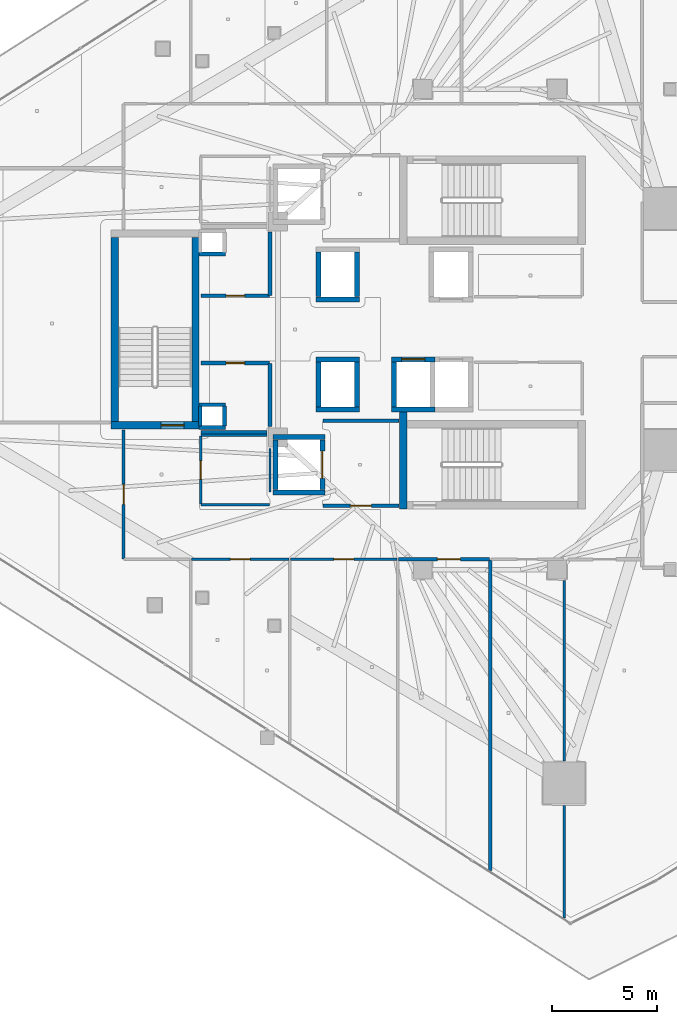
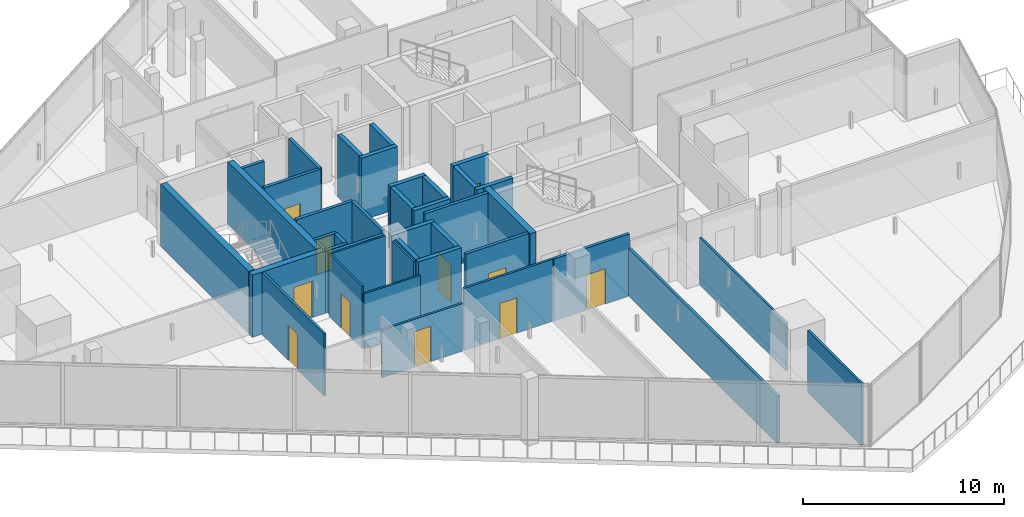
# One storey, part 25 of 37: 41 walls, 11 doors, 11 openings.
"""IFC4 building model written with IfcOpenShell, lengths in metres."""

from ifc_helpers import new_model, si_unit, direction, frame, frame_2d, origin, place, context, subcontext, project, spatial, rectangle, extrude, material, layer, layer_set, type_object, element, fill, save


model = new_model("IFC4")

# Units and contexts
model_context = context("Model", 3, precision=1e-05, world=origin(), true_north=direction((0.0, 1.0)))
body_context = subcontext(model_context, "Body", "Model", "MODEL_VIEW")
ifc_project = project(units=[si_unit("LENGTHUNIT", "METRE"), si_unit("AREAUNIT", "SQUARE_METRE"), si_unit("VOLUMEUNIT", "CUBIC_METRE"), si_unit("PLANEANGLEUNIT", "RADIAN"), si_unit("MASSUNIT", "GRAM", prefix="KILO")], contexts=[model_context])

# Site, building, storey
site_placement = place(None, origin())
site = spatial("IfcSite", under=ifc_project, at=site_placement, CompositionType="ELEMENT")
building_placement = place(site_placement, origin())
building = spatial("IfcBuilding", under=site, at=building_placement, Name="Qorvath Tower", CompositionType="ELEMENT")
storey_placement = place(building_placement, frame((0.0, 0.0, 188.85009765625)))
storey = spatial("IfcBuildingStorey", under=building, at=storey_placement, Name="L43", CompositionType="ELEMENT", Elevation=188.85009765625)

# Walls
ifc_material_1 = material(Name="Gypsum shaftliner on steel studs", Category="steel")
ifc_layer_1 = layer(ifc_material_1, 0.179931640625)
ifc_layer_set_1 = layer_set([ifc_layer_1], Name="FW-LOBBY")
wall_type_1 = type_object("IfcWallType", Name="FW-LOBBY", PredefinedType="PARTITIONING", material=ifc_layer_set_1)
for number, where, z_axis, x_axis, name in (
    (1, (-32.989990234375, 3.594970703125, 0.0), (0.0, 0.0, 1.0), (-1.0, 0.0, 0.0), "MEP Riser Shaft Enclosure Wall N-L43-S"),
    (2, (-32.989990234375, -4.675048828125, 0.0), (0.0, 0.0, 1.0), (-1.0, 0.0, 0.0), "MEP Riser Shaft Enclosure Wall S-L43-S"),
    (3, (-34.260009765625, -3.594970703125, 0.0), (0.0, 0.0, 1.0), (1.0, 0.0, 0.0), "MEP Riser Shaft Enclosure Wall S-L43-N"),
):
    element("IfcWall", number, at=place(storey_placement, frame(where, z_axis=z_axis, x_axis=x_axis)), inside=storey, type_object=wall_type_1, Name=name, PredefinedType="PARTITIONING", context=body_context, shape_type="SweptSolid", body=[
        extrude(rectangle(XDim=1.27001953125, YDim=0.179931640625, at=frame_2d((0.635009765625, 0.0))), origin(), (0.0, 0.0, 1.0), 3.77978515625),
    ])
for number, where, z_axis, x_axis, name in (
    (4, (-34.205078125, -4.610107421875, 0.0), (0.0, 0.0, 1.0), (0.0, 1.0, 0.0), "MEP Riser Shaft Enclosure Wall S-L43-W"),
    (5, (-33.044921875, -3.659912109375, 0.0), (0.0, 0.0, 1.0), (0.0, -1.0, 0.0), "MEP Riser Shaft Enclosure Wall S-L43-E"),
):
    element("IfcWall", number, at=place(storey_placement, frame(where, z_axis=z_axis, x_axis=x_axis)), inside=storey, type_object=wall_type_1, Name=name, PredefinedType="PARTITIONING", context=body_context, shape_type="SweptSolid", body=[
        extrude(rectangle(XDim=0.9501953125, YDim=0.179931640625, at=frame_2d((0.47509765625, 0.0))), origin(), (0.0, 0.0, 1.0), 3.77978515625),
    ])

# Wall, opening, door
wall_1_placement = place(storey_placement, frame((-28.35498046875, -8.39990234375, 0.0), z_axis=(0.0, 0.0, 1.0), x_axis=(1.0, 0.0, 0.0)))
wall_1 = element("IfcWall", 6, at=wall_1_placement, inside=storey, type_object=wall_type_1, Name="Interior Partition IW-T1-L43-003", PredefinedType="PARTITIONING", context=body_context, shape_type="SweptSolid", body=[
    extrude(rectangle(XDim=3.6220703125, YDim=0.179931640625, at=frame_2d((1.81103515625, 0.0))), origin(), (0.0, 0.0, 1.0), 3.77978515625),
])
opening_1_placement = place(wall_1_placement, frame((1.31103515625, 0.0, 0.0)))
opening_1 = element("IfcOpeningElement", 7, at=opening_1_placement, cuts=wall_1, Name="Opening D-T1-L43-22", PredefinedType="OPENING", context=body_context, shape_type="SweptSolid", body=[
    extrude(rectangle(XDim=1.0, YDim=2.14990234375, at=frame_2d((0.5, 1.074951171875))), frame((0.0, 0.10009765625, 0.0), z_axis=(0.0, -1.0, 0.0), x_axis=(1.0, 0.0, 0.0)), (0.0, 0.0, 1.0), 0.199951171875),
])
ifc_material_2 = material(Name="Painted galvanised hollow metal", Category="steel")
door_type_1 = type_object("IfcDoorType", Name="FD-60", OperationType="NOTDEFINED", PredefinedType="DOOR", material=ifc_material_2)
door_1_placement = place(opening_1_placement, origin())
door_1 = element("IfcDoor", 8, at=door_1_placement, inside=storey, type_object=door_type_1, Name="Lobby Fire Service Elevator South Door D-T1-L43-22", OperationType="SINGLE_SWING_RIGHT", OverallHeight=2.14990234375, OverallWidth=1.0, PredefinedType="DOOR", context=body_context, shape_type="SweptSolid", body=[
    extrude(rectangle(XDim=1.0, YDim=2.14990234375, at=frame_2d((0.5, 1.074951171875))), frame((0.0, 0.02490234375, 0.0), z_axis=(0.0, -1.0, 0.0), x_axis=(1.0, 0.0, 0.0)), (0.0, 0.0, 1.0), 0.050048828125),
])
fill(opening_1, door_1)

# Wall
wall_2_placement = place(storey_placement, frame((-24.73291015625, -4.35009765625, 0.0), z_axis=(0.0, 0.0, 1.0), x_axis=(-1.0, 0.0, 0.0)))
element("IfcWall", 9, at=wall_2_placement, inside=storey, type_object=wall_type_1, Name="Interior Partition IW-T1-L43-004", PredefinedType="PARTITIONING", context=body_context, shape_type="SweptSolid", body=[
    extrude(rectangle(XDim=3.6220703125, YDim=0.179931640625, at=frame_2d((1.81103515625, 0.0))), origin(), (0.0, 0.0, 1.0), 3.77978515625),
])

# Wall, opening, door
wall_3_placement = place(storey_placement, frame((-34.15478515625, 1.60009765625, 0.0), z_axis=(0.0, 0.0, 1.0), x_axis=(1.0, 0.0, 0.0)))
wall_3 = element("IfcWall", 10, at=wall_3_placement, inside=storey, type_object=wall_type_1, Name="Interior Partition IW-T1-L43-017", PredefinedType="PARTITIONING", context=body_context, shape_type="SweptSolid", body=[
    extrude(rectangle(XDim=3.25, YDim=0.179931640625, at=frame_2d((1.625, 0.0))), origin(), (0.0, 0.0, 1.0), 3.77978515625),
])
opening_2_placement = place(wall_3_placement, frame((1.18505859375, 0.0, 0.0)))
opening_2 = element("IfcOpeningElement", 11, at=opening_2_placement, cuts=wall_3, Name="Opening D-T1-L43-05", PredefinedType="OPENING", context=body_context, shape_type="SweptSolid", body=[
    extrude(rectangle(XDim=0.8798828125, YDim=2.10009765625, at=frame_2d((0.43994140625, 1.050048828125))), frame((0.0, 0.10009765625, 0.0), z_axis=(0.0, -1.0, 0.0), x_axis=(1.0, 0.0, 0.0)), (0.0, 0.0, 1.0), 0.199951171875),
])
ifc_material_3 = material(Name="Painted galvanised hollow metal", Category="steel")
door_type_2 = type_object("IfcDoorType", Name="FD-60N", OperationType="NOTDEFINED", PredefinedType="DOOR", material=ifc_material_3)
door_2_placement = place(opening_2_placement, origin())
door_2 = element("IfcDoor", 12, at=door_2_placement, inside=storey, type_object=door_type_2, Name="Core cleaner and custodial room L43 Door D-T1-L43-05", OperationType="SINGLE_SWING_LEFT", OverallHeight=2.10009765625, OverallWidth=0.8798828125, PredefinedType="DOOR", context=body_context, shape_type="SweptSolid", body=[
    extrude(rectangle(XDim=0.8798828125, YDim=2.10009765625, at=frame_2d((0.43994140625, 1.050048828125))), frame((0.0, 0.02490234375, 0.0), z_axis=(0.0, -1.0, 0.0), x_axis=(1.0, 0.0, 0.0)), (0.0, 0.0, 1.0), 0.050048828125),
])
fill(opening_2, door_2)

# Walls
wall_4_placement = place(storey_placement, frame((-30.8798828125, 1.625, 0.0), z_axis=(0.0, 0.0, 1.0), x_axis=(0.0, 1.0, 0.0)))
element("IfcWall", 13, at=wall_4_placement, inside=storey, type_object=wall_type_1, Name="Interior Partition IW-T1-L43-018", PredefinedType="PARTITIONING", context=body_context, shape_type="SweptSolid", body=[
    extrude(rectangle(XDim=3.010009765625, YDim=0.179931640625, at=frame_2d((1.5048828125, 0.0))), origin(), (0.0, 0.0, 1.0), 3.77978515625),
])
wall_5_placement = place(storey_placement, frame((-34.15478515625, -4.89990234375, 0.0), z_axis=(0.0, 0.0, 1.0), x_axis=(1.0, 0.0, 0.0)))
element("IfcWall", 14, at=wall_5_placement, inside=storey, type_object=wall_type_1, Name="Interior Partition IW-T1-L43-020", PredefinedType="PARTITIONING", context=body_context, shape_type="SweptSolid", body=[
    extrude(rectangle(XDim=3.139892578125, YDim=0.179931640625, at=frame_2d((1.56982421875, 0.0))), origin(), (0.0, 0.0, 1.0), 3.77978515625),
])
wall_6_placement = place(storey_placement, frame((-30.8798828125, -4.635009765625, 0.0), z_axis=(0.0, 0.0, 1.0), x_axis=(0.0, 1.0, 0.0)))
element("IfcWall", 15, at=wall_6_placement, inside=storey, type_object=wall_type_1, Name="Interior Partition IW-T1-L43-021", PredefinedType="PARTITIONING", context=body_context, shape_type="SweptSolid", body=[
    extrude(rectangle(XDim=3.010009765625, YDim=0.179931640625, at=frame_2d((1.5048828125, 0.0))), origin(), (0.0, 0.0, 1.0), 3.77978515625),
])

# Wall, opening, door
wall_7_placement = place(storey_placement, frame((-30.90478515625, -1.60009765625, 0.0), z_axis=(0.0, 0.0, 1.0), x_axis=(-1.0, 0.0, 0.0)))
wall_7 = element("IfcWall", 16, at=wall_7_placement, inside=storey, type_object=wall_type_1, Name="Interior Partition IW-T1-L43-022", PredefinedType="PARTITIONING", context=body_context, shape_type="SweptSolid", body=[
    extrude(rectangle(XDim=3.25, YDim=0.179931640625, at=frame_2d((1.625, 0.0))), origin(), (0.0, 0.0, 1.0), 3.77978515625),
])
opening_3_placement = place(wall_7_placement, frame((1.18505859375, 0.0, 0.0)))
opening_3 = element("IfcOpeningElement", 17, at=opening_3_placement, cuts=wall_7, Name="Opening D-T1-L43-06", PredefinedType="OPENING", context=body_context, shape_type="SweptSolid", body=[
    extrude(rectangle(XDim=0.8798828125, YDim=2.10009765625, at=frame_2d((0.43994140625, 1.050048828125))), frame((0.0, 0.10009765625, 0.0), z_axis=(0.0, -1.0, 0.0), x_axis=(1.0, 0.0, 0.0)), (0.0, 0.0, 1.0), 0.199951171875),
])
door_3_placement = place(opening_3_placement, origin())
door_3 = element("IfcDoor", 18, at=door_3_placement, inside=storey, type_object=door_type_2, Name="Core electrical room L43 Door D-T1-L43-06", OperationType="SINGLE_SWING_RIGHT", OverallHeight=2.10009765625, OverallWidth=0.8798828125, PredefinedType="DOOR", context=body_context, shape_type="SweptSolid", body=[
    extrude(rectangle(XDim=0.8798828125, YDim=2.10009765625, at=frame_2d((0.43994140625, 1.050048828125))), frame((0.0, 0.02490234375, 0.0), z_axis=(0.0, -1.0, 0.0), x_axis=(1.0, 0.0, 0.0)), (0.0, 0.0, 1.0), 0.050048828125),
])
fill(opening_3, door_3)

# Wall
ifc_material_4 = material(Name="Double acoustic gypsum board on steel studs", Category="steel")
ifc_layer_2 = layer(ifc_material_4, 0.159912109375)
ifc_layer_set_2 = layer_set([ifc_layer_2], Name="IW-ACOUSTIC-160")
wall_type_2 = type_object("IfcWallType", Name="IW-ACOUSTIC-160", PredefinedType="PARTITIONING", material=ifc_layer_set_2)
wall_8_placement = place(storey_placement, frame((-20.382568359375, -25.794189453125, 0.0), z_axis=(0.0, 0.0, 1.0), x_axis=(0.0, 1.0, 0.0)))
element("IfcWall", 19, at=wall_8_placement, inside=storey, type_object=wall_type_2, Name="Interior Partition IW-T1-L43-037", PredefinedType="PARTITIONING", context=body_context, shape_type="SweptSolid", body=[
    extrude(rectangle(XDim=14.811279296875, YDim=0.159912109375, at=frame_2d((7.40576171875, 0.0))), origin(), (0.0, 0.0, 1.0), 2.894775390625),
])

# Wall, opening, door
wall_9_placement = place(storey_placement, frame((-20.40771484375, -10.9580078125, 0.0), z_axis=(0.0, 0.0, 1.0), x_axis=(-1.0, 0.0, 0.0)))
wall_9 = element("IfcWall", 20, at=wall_9_placement, inside=storey, type_object=wall_type_2, Name="Interior Partition IW-T1-L43-038", PredefinedType="PARTITIONING", context=body_context, shape_type="SweptSolid", body=[
    extrude(rectangle(XDim=4.351806640625, YDim=0.159912109375, at=frame_2d((2.17578125, 0.0))), origin(), (0.0, 0.0, 1.0), 3.77978515625),
])
opening_4_placement = place(wall_9_placement, frame((1.3935546875, 0.0, 0.0)))
opening_4 = element("IfcOpeningElement", 21, at=opening_4_placement, cuts=wall_9, Name="Opening D-T1-L43-12", PredefinedType="OPENING", context=body_context, shape_type="SweptSolid", body=[
    extrude(rectangle(XDim=1.10009765625, YDim=2.14990234375, at=frame_2d((0.550048828125, 1.074951171875))), frame((0.0, 0.08984375, 0.0), z_axis=(0.0, -1.0, 0.0), x_axis=(1.0, 0.0, 0.0)), (0.0, 0.0, 1.0), 0.179931640625),
])
ifc_material_5 = material(Name="Anodised aluminium acoustic framed glass", Category="aluminium")
door_type_3 = type_object("IfcDoorType", Name="D-03", OperationType="NOTDEFINED", PredefinedType="DOOR", material=ifc_material_5)
door_4_placement = place(opening_4_placement, origin())
door_4 = element("IfcDoor", 22, at=door_4_placement, inside=storey, type_object=door_type_3, Name="L43-06 Digital Visualization Suite Door D-T1-L43-12", OperationType="SINGLE_SWING_RIGHT", OverallHeight=2.14990234375, OverallWidth=1.10009765625, PredefinedType="DOOR", context=body_context, shape_type="SweptSolid", body=[
    extrude(rectangle(XDim=1.10009765625, YDim=2.14990234375, at=frame_2d((0.550048828125, 1.074951171875))), frame((0.0, 0.02490234375, 0.0), z_axis=(0.0, -1.0, 0.0), x_axis=(1.0, 0.0, 0.0)), (0.0, 0.0, 1.0), 0.050048828125),
])
fill(opening_4, door_4)

ifc_material_6 = material(Name="Gypsum board on metal studs with mineral wool", Category="gypsum")
ifc_layer_3 = layer(ifc_material_6, 0.125)
ifc_layer_set_3 = layer_set([ifc_layer_3], Name="IW-PART-125")
wall_type_3 = type_object("IfcWallType", Name="IW-PART-125", PredefinedType="PARTITIONING", material=ifc_layer_set_3)
wall_10_placement = place(storey_placement, frame((-29.962646484375, -10.9580078125, 0.0), z_axis=(0.0, 0.0, 1.0), x_axis=(-1.0, 0.0, 0.0)))
wall_10 = element("IfcWall", 23, at=wall_10_placement, inside=storey, type_object=wall_type_3, Name="Interior Partition IW-T1-L43-032", PredefinedType="PARTITIONING", context=body_context, shape_type="SweptSolid", body=[
    extrude(rectangle(XDim=4.662353515625, YDim=0.125, at=frame_2d((2.3310546875, 0.0))), origin(), (0.0, 0.0, 1.0), 2.899658203125),
])
opening_5_placement = place(wall_10_placement, frame((1.856201171875, 0.0, 0.0)))
opening_5 = element("IfcOpeningElement", 24, at=opening_5_placement, cuts=wall_10, Name="Opening D-T1-L43-10", PredefinedType="OPENING", context=body_context, shape_type="SweptSolid", body=[
    extrude(rectangle(XDim=0.949951171875, YDim=2.14990234375, at=frame_2d((0.47509765625, 1.074951171875))), frame((0.0, 0.072509765625, 0.0), z_axis=(0.0, -1.0, 0.0), x_axis=(1.0, 0.0, 0.0)), (0.0, 0.0, 1.0), 0.14501953125),
])
ifc_material_7 = material(Name="Solid-core American white oak veneer", Category="wood")
door_type_4 = type_object("IfcDoorType", Name="D-01", OperationType="NOTDEFINED", PredefinedType="DOOR", material=ifc_material_7)
door_5_placement = place(opening_5_placement, origin())
door_5 = element("IfcDoor", 25, at=door_5_placement, inside=storey, type_object=door_type_4, Name="L43-04 Executive Partner Office Door D-T1-L43-10", OperationType="SINGLE_SWING_RIGHT", OverallHeight=2.14990234375, OverallWidth=0.949951171875, PredefinedType="DOOR", context=body_context, shape_type="SweptSolid", body=[
    extrude(rectangle(XDim=0.949951171875, YDim=2.14990234375, at=frame_2d((0.47509765625, 1.074951171875))), frame((0.0, 0.02490234375, 0.0), z_axis=(0.0, -1.0, 0.0), x_axis=(1.0, 0.0, 0.0)), (0.0, 0.0, 1.0), 0.050048828125),
])
fill(opening_5, door_5)

wall_11_placement = place(storey_placement, frame((-24.8173828125, -10.9580078125, 0.0), z_axis=(0.0, 0.0, 1.0), x_axis=(-1.0, 0.0, 0.0)))
wall_11 = element("IfcWall", 26, at=wall_11_placement, inside=storey, type_object=wall_type_3, Name="Interior Partition IW-T1-L43-036", PredefinedType="PARTITIONING", context=body_context, shape_type="SweptSolid", body=[
    extrude(rectangle(XDim=5.08740234375, YDim=0.125, at=frame_2d((2.543701171875, 0.0))), origin(), (0.0, 0.0, 1.0), 3.77978515625),
])
opening_6_placement = place(wall_11_placement, frame((2.068603515625, 0.0, 0.0)))
opening_6 = element("IfcOpeningElement", 27, at=opening_6_placement, cuts=wall_11, Name="Opening D-T1-L43-11", PredefinedType="OPENING", context=body_context, shape_type="SweptSolid", body=[
    extrude(rectangle(XDim=0.949951171875, YDim=2.14990234375, at=frame_2d((0.47509765625, 1.074951171875))), frame((0.0, 0.072509765625, 0.0), z_axis=(0.0, -1.0, 0.0), x_axis=(1.0, 0.0, 0.0)), (0.0, 0.0, 1.0), 0.14501953125),
])
door_6_placement = place(opening_6_placement, origin())
door_6 = element("IfcDoor", 28, at=door_6_placement, inside=storey, type_object=door_type_4, Name="L43-05 Breakout Reading Alcove Door D-T1-L43-11", OperationType="SINGLE_SWING_LEFT", OverallHeight=2.14990234375, OverallWidth=0.949951171875, PredefinedType="DOOR", context=body_context, shape_type="SweptSolid", body=[
    extrude(rectangle(XDim=0.949951171875, YDim=2.14990234375, at=frame_2d((0.47509765625, 1.074951171875))), frame((0.0, 0.02490234375, 0.0), z_axis=(0.0, -1.0, 0.0), x_axis=(1.0, 0.0, 0.0)), (0.0, 0.0, 1.0), 0.050048828125),
])
fill(opening_6, door_6)

# Walls
wall_12_placement = place(storey_placement, frame((-16.859619140625, -28.0458984375, 0.0), z_axis=(0.0, 0.0, 1.0), x_axis=(0.0, 1.0, 0.0)))
element("IfcWall", 29, at=wall_12_placement, inside=storey, type_object=wall_type_3, Name="Interior Partition IW-T1-L43-040", PredefinedType="PARTITIONING", context=body_context, shape_type="SweptSolid", body=[
    extrude(rectangle(XDim=5.353759765625, YDim=0.125, at=frame_2d((2.6767578125, 0.0))), origin(), (0.0, 0.0, 1.0), 3.77978515625),
])
wall_13_placement = place(storey_placement, frame((-16.859619140625, -20.56201171875, 0.0), z_axis=(0.0, 0.0, 1.0), x_axis=(0.0, 1.0, 0.0)))
element("IfcWall", 30, at=wall_13_placement, inside=storey, type_object=wall_type_3, Name="Interior Partition IW-T1-L43-041", PredefinedType="PARTITIONING", context=body_context, shape_type="SweptSolid", body=[
    extrude(rectangle(XDim=8.596923828125, YDim=0.125, at=frame_2d((4.29833984375, 0.0))), origin(), (0.0, 0.0, 1.0), 2.899658203125),
])

# Wall, opening, door
wall_14_placement = place(storey_placement, frame((-37.85791015625, -10.93310546875, 0.0), z_axis=(0.0, 0.0, 1.0), x_axis=(0.0, 1.0, 0.0)))
wall_14 = element("IfcWall", 31, at=wall_14_placement, inside=storey, type_object=wall_type_3, Name="Interior Partition IW-T1-L43-054", PredefinedType="PARTITIONING", context=body_context, shape_type="SweptSolid", body=[
    extrude(rectangle(XDim=6.14990234375, YDim=0.125, at=frame_2d((3.074951171875, 0.0))), origin(), (0.0, 0.0, 1.0), 3.77978515625),
])
opening_7_placement = place(wall_14_placement, frame((2.599853515625, 0.0, 0.0)))
opening_7 = element("IfcOpeningElement", 32, at=opening_7_placement, cuts=wall_14, Name="Opening D-T1-L43-18", PredefinedType="OPENING", context=body_context, shape_type="SweptSolid", body=[
    extrude(rectangle(XDim=0.949951171875, YDim=2.14990234375, at=frame_2d((0.47509765625, 1.074951171875))), frame((0.0, 0.072509765625, 0.0), z_axis=(0.0, -1.0, 0.0), x_axis=(1.0, 0.0, 0.0)), (0.0, 0.0, 1.0), 0.14501953125),
])
door_7_placement = place(opening_7_placement, origin())
door_7 = element("IfcDoor", 33, at=door_7_placement, inside=storey, type_object=door_type_4, Name="L43-12 Project Collaboration Workspace Door D-T1-L43-18", OperationType="SINGLE_SWING_RIGHT", OverallHeight=2.14990234375, OverallWidth=0.949951171875, PredefinedType="DOOR", context=body_context, shape_type="SweptSolid", body=[
    extrude(rectangle(XDim=0.949951171875, YDim=2.14990234375, at=frame_2d((0.47509765625, 1.074951171875))), frame((0.0, 0.02490234375, 0.0), z_axis=(0.0, -1.0, 0.0), x_axis=(1.0, 0.0, 0.0)), (0.0, 0.0, 1.0), 0.050048828125),
])
fill(opening_7, door_7)

# Walls
ifc_material_8 = material(Name="Moisture-resistant cement board on metal studs", Category="gypsum")
ifc_layer_4 = layer(ifc_material_8, 0.110107421875)
ifc_layer_set_4 = layer_set([ifc_layer_4], Name="IW-WC-110")
wall_type_4 = type_object("IfcWallType", Name="IW-WC-110", PredefinedType="PARTITIONING", material=ifc_layer_set_4)
wall_15_placement = place(storey_placement, frame((-34.15478515625, -8.35009765625, 0.0), z_axis=(0.0, 0.0, 1.0), x_axis=(1.0, 0.0, 0.0)))
element("IfcWall", 34, at=wall_15_placement, inside=storey, type_object=wall_type_4, Name="Interior Partition IW-T1-L43-009", PredefinedType="PARTITIONING", context=body_context, shape_type="SweptSolid", body=[
    extrude(rectangle(XDim=3.25, YDim=0.110107421875, at=frame_2d((1.625, 0.0))), origin(), (0.0, 0.0, 1.0), 3.343994140625),
])
wall_16_placement = place(storey_placement, frame((-30.8798828125, -7.742919921875, 0.0), z_axis=(0.0, 0.0, 1.0), x_axis=(0.0, 1.0, 0.0)))
element("IfcWall", 35, at=wall_16_placement, inside=storey, type_object=wall_type_4, Name="Interior Partition IW-T1-L43-010", PredefinedType="PARTITIONING", context=body_context, shape_type="SweptSolid", body=[
    extrude(rectangle(XDim=2.077880859375, YDim=0.110107421875, at=frame_2d((1.0390625, 0.0))), origin(), (0.0, 0.0, 1.0), 3.77978515625),
])
wall_17_placement = place(storey_placement, frame((-31.014892578125, -5.050048828125, 0.0), z_axis=(0.0, 0.0, 1.0), x_axis=(-1.0, 0.0, 0.0)))
element("IfcWall", 36, at=wall_17_placement, inside=storey, type_object=wall_type_4, Name="Interior Partition IW-T1-L43-011", PredefinedType="PARTITIONING", context=body_context, shape_type="SweptSolid", body=[
    extrude(rectangle(XDim=3.139892578125, YDim=0.110107421875, at=frame_2d((1.56982421875, 0.0))), origin(), (0.0, 0.0, 1.0), 3.77978515625),
])

# Wall, opening, door
wall_18_placement = place(storey_placement, frame((-34.179931640625, -5.074951171875, 0.0), z_axis=(0.0, 0.0, 1.0), x_axis=(0.0, -1.0, 0.0)))
wall_18 = element("IfcWall", 37, at=wall_18_placement, inside=storey, type_object=wall_type_4, Name="Interior Partition IW-T1-L43-012", PredefinedType="PARTITIONING", context=body_context, shape_type="SweptSolid", body=[
    extrude(rectangle(XDim=3.250244140625, YDim=0.110107421875, at=frame_2d((1.625, 0.0))), origin(), (0.0, 0.0, 1.0), 3.77978515625),
])
opening_8_placement = place(wall_18_placement, frame((1.18505859375, 0.0, 0.0)))
opening_8 = element("IfcOpeningElement", 38, at=opening_8_placement, cuts=wall_18, Name="Opening D-T1-L43-02", PredefinedType="OPENING", context=body_context, shape_type="SweptSolid", body=[
    extrude(rectangle(XDim=0.8798828125, YDim=2.10009765625, at=frame_2d((0.43994140625, 1.050048828125))), frame((0.0, 0.06494140625, 0.0), z_axis=(0.0, -1.0, 0.0), x_axis=(1.0, 0.0, 0.0)), (0.0, 0.0, 1.0), 0.130126953125),
])
ifc_material_9 = material(Name="Solid-core oak with acoustic drop seal", Category="wood")
door_type_5 = type_object("IfcDoorType", Name="D-02", OperationType="NOTDEFINED", PredefinedType="DOOR", material=ifc_material_9)
door_8_placement = place(opening_8_placement, origin())
door_8 = element("IfcDoor", 39, at=door_8_placement, inside=storey, type_object=door_type_5, Name="Accessible WC South L43 Door D-T1-L43-02", OperationType="SINGLE_SWING_RIGHT", OverallHeight=2.10009765625, OverallWidth=0.8798828125, PredefinedType="DOOR", context=body_context, shape_type="SweptSolid", body=[
    extrude(rectangle(XDim=0.8798828125, YDim=2.10009765625, at=frame_2d((0.43994140625, 1.050048828125))), frame((0.0, 0.02490234375, 0.0), z_axis=(0.0, -1.0, 0.0), x_axis=(1.0, 0.0, 0.0)), (0.0, 0.0, 1.0), 0.050048828125),
])
fill(opening_8, door_8)

# Walls
ifc_material_10 = material(Name="Concrete C60/75", Category="concrete")
ifc_layer_5 = layer(ifc_material_10, 0.260009765625)
ifc_layer_set_5 = layer_set([ifc_layer_5], Name="SW-SHAFT")
wall_type_5 = type_object("IfcWallType", Name="SW-SHAFT", PredefinedType="SHEAR", material=ifc_layer_set_5)
for number, where, z_axis, x_axis, name in (
    (40, (-28.260009765625, -7.77001953125, 0.0), (0.0, 0.0, 1.0), (-1.0, 0.0, 0.0), "Hoistway Wall FSAE-2 L43 S"),
    (41, (-30.739990234375, -5.1298828125, 0.0), (0.0, 0.0, 1.0), (1.0, 0.0, 0.0), "Hoistway Wall FSAE-2 L43 N"),
):
    element("IfcWall", number, at=place(storey_placement, frame(where, z_axis=z_axis, x_axis=x_axis)), inside=storey, type_object=wall_type_5, Name=name, PredefinedType="SHEAR", context=body_context, shape_type="SweptSolid", body=[
        extrude(rectangle(XDim=2.47998046875, YDim=0.239990234375, at=frame_2d((1.239990234375, 0.0))), origin(), (0.0, 0.0, 1.0), 3.77978515625),
    ])
wall_19_placement = place(storey_placement, frame((-30.6201171875, -7.637939453125, 0.0), z_axis=(0.0, 0.0, 1.0), x_axis=(0.0, 1.0, 0.0)))
element("IfcWall", 42, at=wall_19_placement, inside=storey, type_object=wall_type_5, Name="Hoistway Wall FSAE-2 L43 W", PredefinedType="SHEAR", context=body_context, shape_type="SweptSolid", body=[
    extrude(rectangle(XDim=2.3759765625, YDim=0.239990234375, at=frame_2d((1.18798828125, 0.0))), origin(), (0.0, 0.0, 1.0), 3.77978515625),
])

# Wall, opening, door
wall_20_placement = place(storey_placement, frame((-28.3798828125, -5.261962890625, 0.0), z_axis=(0.0, 0.0, 1.0), x_axis=(0.0, -1.0, 0.0)))
wall_20 = element("IfcWall", 43, at=wall_20_placement, inside=storey, type_object=wall_type_5, Name="Hoistway Wall FSAE-2 L43 E", PredefinedType="SHEAR", context=body_context, shape_type="SweptSolid", body=[
    extrude(rectangle(XDim=2.3759765625, YDim=0.239990234375, at=frame_2d((1.18798828125, 0.0))), origin(), (0.0, 0.0, 1.0), 3.77978515625),
])
opening_9_placement = place(wall_20_placement, frame((0.5380859375, 0.0, 0.0)))
opening_9 = element("IfcOpeningElement", 44, at=opening_9_placement, cuts=wall_20, Name="Opening LD-FSAE-2-L43", PredefinedType="OPENING", context=body_context, shape_type="SweptSolid", body=[
    extrude(rectangle(XDim=1.300048828125, YDim=2.300048828125, at=frame_2d((0.64990234375, 1.14990234375))), frame((0.0, 0.1298828125, 0.0), z_axis=(0.0, -1.0, 0.0), x_axis=(1.0, 0.0, 0.0)), (0.0, 0.0, 1.0), 0.260009765625),
])
ifc_material_11 = material(Name="Brushed stainless steel AISI 316", Category="steel")
door_type_6 = type_object("IfcDoorType", Name="LD-02", OperationType="NOTDEFINED", PredefinedType="DOOR", material=ifc_material_11)
door_9_placement = place(opening_9_placement, origin())
door_9 = element("IfcDoor", 45, at=door_9_placement, inside=storey, type_object=door_type_6, Name="Elevator Landing Sliding Door LD-FSAE-2-L43", OperationType="DOUBLE_DOOR_SLIDING", OverallHeight=2.300048828125, OverallWidth=1.300048828125, PredefinedType="DOOR", context=body_context, shape_type="SweptSolid", body=[
    extrude(rectangle(XDim=1.300048828125, YDim=2.300048828125, at=frame_2d((0.64990234375, 1.14990234375))), frame((0.0, 0.02490234375, 0.0), z_axis=(0.0, -1.0, 0.0), x_axis=(1.0, 0.0, 0.0)), (0.0, 0.0, 1.0), 0.050048828125),
])
fill(opening_9, door_9)

# Walls
wall_21_placement = place(storey_placement, frame((-26.610107421875, 1.429931640625, 0.0), z_axis=(0.0, 0.0, 1.0), x_axis=(-1.0, 0.0, 0.0)))
element("IfcWall", 46, at=wall_21_placement, inside=storey, type_object=wall_type_5, Name="Hoistway Wall PS-1 L43 S", PredefinedType="SHEAR", context=body_context, shape_type="SweptSolid", body=[
    extrude(rectangle(XDim=2.079833984375, YDim=0.239990234375, at=frame_2d((1.0400390625, 0.0))), origin(), (0.0, 0.0, 1.0), 3.77978515625),
])
for number, where, z_axis, x_axis, name in (
    (47, (-28.570068359375, 1.56201171875, 0.0), (0.0, 0.0, 1.0), (0.0, 1.0, 0.0), "Hoistway Wall PS-1 L43 W"),
    (48, (-26.72998046875, 3.68798828125, 0.0), (0.0, 0.0, 1.0), (0.0, -1.0, 0.0), "Hoistway Wall PS-1 L43 E"),
):
    element("IfcWall", number, at=place(storey_placement, frame(where, z_axis=z_axis, x_axis=x_axis)), inside=storey, type_object=wall_type_5, Name=name, PredefinedType="SHEAR", context=body_context, shape_type="SweptSolid", body=[
        extrude(rectangle(XDim=2.1259765625, YDim=0.239990234375, at=frame_2d((1.06298828125, 0.0))), origin(), (0.0, 0.0, 1.0), 3.77978515625),
    ])
for number, where, z_axis, x_axis, name in (
    (49, (-26.610107421875, -3.820068359375, 0.0), (0.0, 0.0, 1.0), (-1.0, 0.0, 0.0), "Hoistway Wall PS-2 L43 S"),
    (50, (-28.68994140625, -1.429931640625, 0.0), (0.0, 0.0, 1.0), (1.0, 0.0, 0.0), "Hoistway Wall PS-2 L43 N"),
):
    element("IfcWall", number, at=place(storey_placement, frame(where, z_axis=z_axis, x_axis=x_axis)), inside=storey, type_object=wall_type_5, Name=name, PredefinedType="SHEAR", context=body_context, shape_type="SweptSolid", body=[
        extrude(rectangle(XDim=2.079833984375, YDim=0.239990234375, at=frame_2d((1.0400390625, 0.0))), origin(), (0.0, 0.0, 1.0), 3.77978515625),
    ])
for number, where, z_axis, x_axis, name in (
    (51, (-28.570068359375, -3.68798828125, 0.0), (0.0, 0.0, 1.0), (0.0, 1.0, 0.0), "Hoistway Wall PS-2 L43 W"),
    (52, (-26.72998046875, -1.56201171875, 0.0), (0.0, 0.0, 1.0), (0.0, -1.0, 0.0), "Hoistway Wall PS-2 L43 E"),
):
    element("IfcWall", number, at=place(storey_placement, frame(where, z_axis=z_axis, x_axis=x_axis)), inside=storey, type_object=wall_type_5, Name=name, PredefinedType="SHEAR", context=body_context, shape_type="SweptSolid", body=[
        extrude(rectangle(XDim=2.1259765625, YDim=0.239990234375, at=frame_2d((1.06298828125, 0.0))), origin(), (0.0, 0.0, 1.0), 3.77978515625),
    ])
wall_22_placement = place(storey_placement, frame((-23.010009765625, -3.820068359375, 0.0), z_axis=(0.0, 0.0, 1.0), x_axis=(-1.0, 0.0, 0.0)))
element("IfcWall", 53, at=wall_22_placement, inside=storey, type_object=wall_type_5, Name="Hoistway Wall PU-2 L43 S", PredefinedType="SHEAR", context=body_context, shape_type="SweptSolid", body=[
    extrude(rectangle(XDim=2.080078125, YDim=0.239990234375, at=frame_2d((1.0400390625, 0.0))), origin(), (0.0, 0.0, 1.0), 3.77978515625),
])

# Wall, opening, door
wall_23_placement = place(storey_placement, frame((-25.090087890625, -1.429931640625, 0.0), z_axis=(0.0, 0.0, 1.0), x_axis=(1.0, 0.0, 0.0)))
wall_23 = element("IfcWall", 54, at=wall_23_placement, inside=storey, type_object=wall_type_5, Name="Hoistway Wall PU-2 L43 N", PredefinedType="SHEAR", context=body_context, shape_type="SweptSolid", body=[
    extrude(rectangle(XDim=2.080078125, YDim=0.239990234375, at=frame_2d((1.0400390625, 0.0))), origin(), (0.0, 0.0, 1.0), 3.77978515625),
])
opening_10_placement = place(wall_23_placement, frame((0.489990234375, 0.0, 0.0)))
opening_10 = element("IfcOpeningElement", 55, at=opening_10_placement, cuts=wall_23, Name="Opening LD-PU-2-L43", PredefinedType="OPENING", context=body_context, shape_type="SweptSolid", body=[
    extrude(rectangle(XDim=1.10009765625, YDim=2.199951171875, at=frame_2d((0.550048828125, 1.10009765625))), frame((0.0, 0.1298828125, 0.0), z_axis=(0.0, -1.0, 0.0), x_axis=(1.0, 0.0, 0.0)), (0.0, 0.0, 1.0), 0.260009765625),
])
ifc_material_12 = material(Name="Brushed stainless steel AISI 316", Category="steel")
door_type_7 = type_object("IfcDoorType", Name="LD-01", OperationType="NOTDEFINED", PredefinedType="DOOR", material=ifc_material_12)
door_10_placement = place(opening_10_placement, origin())
door_10 = element("IfcDoor", 56, at=door_10_placement, inside=storey, type_object=door_type_7, Name="Elevator Landing Sliding Door LD-PU-2-L43", OperationType="DOUBLE_DOOR_SLIDING", OverallHeight=2.199951171875, OverallWidth=1.10009765625, PredefinedType="DOOR", context=body_context, shape_type="SweptSolid", body=[
    extrude(rectangle(XDim=1.10009765625, YDim=2.199951171875, at=frame_2d((0.550048828125, 1.10009765625))), frame((0.0, 0.02490234375, 0.0), z_axis=(0.0, -1.0, 0.0), x_axis=(1.0, 0.0, 0.0)), (0.0, 0.0, 1.0), 0.050048828125),
])
fill(opening_10, door_10)

# Walls
wall_24_placement = place(storey_placement, frame((-24.969970703125, -3.68798828125, 0.0), z_axis=(0.0, 0.0, 1.0), x_axis=(0.0, 1.0, 0.0)))
element("IfcWall", 57, at=wall_24_placement, inside=storey, type_object=wall_type_5, Name="Hoistway Wall PU-2 L43 W", PredefinedType="SHEAR", context=body_context, shape_type="SweptSolid", body=[
    extrude(rectangle(XDim=2.1259765625, YDim=0.239990234375, at=frame_2d((1.06298828125, 0.0))), origin(), (0.0, 0.0, 1.0), 3.77978515625),
])
ifc_material_13 = material(Name="Concrete C60/75", Category="concrete")
ifc_layer_6 = layer(ifc_material_13, 0.35009765625)
ifc_layer_set_6 = layer_set([ifc_layer_6], Name="SW-STAIR")
wall_type_6 = type_object("IfcWallType", Name="SW-STAIR", PredefinedType="SHEAR", material=ifc_layer_set_6)
wall_25_placement = place(storey_placement, frame((-24.52490234375, -3.93994140625, 0.0), z_axis=(0.0, 0.0, 1.0), x_axis=(0.0, -1.0, 0.0)))
element("IfcWall", 58, at=wall_25_placement, inside=storey, type_object=wall_type_6, Name="Stair TS2 Shear Wall L43 NEAR", PredefinedType="SHEAR", context=body_context, shape_type="SweptSolid", body=[
    extrude(rectangle(XDim=4.610107421875, YDim=0.35009765625, at=frame_2d((2.30517578125, 0.0))), origin(), (0.0, 0.0, 1.0), 3.77978515625),
])

# Wall, opening, door
wall_26_placement = place(storey_placement, frame((-38.4599609375, -4.574951171875, 0.0), z_axis=(0.0, 0.0, 1.0), x_axis=(1.0, 0.0, 0.0)))
wall_26 = element("IfcWall", 59, at=wall_26_placement, inside=storey, type_object=wall_type_6, Name="Stair TS3 Shear Wall L43 NEAR", PredefinedType="SHEAR", context=body_context, shape_type="SweptSolid", body=[
    extrude(rectangle(XDim=4.2099609375, YDim=0.35009765625, at=frame_2d((2.10498046875, 0.0))), origin(), (0.0, 0.0, 1.0), 3.77978515625),
])
opening_11_placement = place(wall_26_placement, frame((2.389892578125, 0.0, 0.0)))
opening_11 = element("IfcOpeningElement", 60, at=opening_11_placement, cuts=wall_26, Name="Opening D-TS3-L43", PredefinedType="OPENING", context=body_context, shape_type="SweptSolid", body=[
    extrude(rectangle(XDim=1.10009765625, YDim=2.199951171875, at=frame_2d((0.550048828125, 1.10009765625))), frame((0.0, 0.18505859375, 0.0), z_axis=(0.0, -1.0, 0.0), x_axis=(1.0, 0.0, 0.0)), (0.0, 0.0, 1.0), 0.3701171875),
])
ifc_material_14 = material(Name="Painted galvanised hollow metal", Category="steel")
door_type_8 = type_object("IfcDoorType", Name="FD-90", OperationType="NOTDEFINED", PredefinedType="DOOR", material=ifc_material_14)
door_11_placement = place(opening_11_placement, origin())
door_11 = element("IfcDoor", 61, at=door_11_placement, inside=storey, type_object=door_type_8, Name="Stair TS3 Fire Door L43", OperationType="SINGLE_SWING_RIGHT", OverallHeight=2.199951171875, OverallWidth=1.10009765625, PredefinedType="DOOR", context=body_context, shape_type="SweptSolid", body=[
    extrude(rectangle(XDim=1.10009765625, YDim=2.199951171875, at=frame_2d((0.550048828125, 1.10009765625))), frame((0.0, 0.02490234375, 0.0), z_axis=(0.0, -1.0, 0.0), x_axis=(1.0, 0.0, 0.0)), (0.0, 0.0, 1.0), 0.050048828125),
])
fill(opening_11, door_11)

# Walls
for number, where, z_axis, x_axis, name in (
    (62, (-34.425048828125, -4.385009765625, 0.0), (0.0, 0.0, 1.0), (0.0, 1.0, 0.0), "Stair TS3 Shear Wall L43 LEFT"),
    (63, (-38.284912109375, 4.385009765625, 0.0), (0.0, 0.0, 1.0), (0.0, -1.0, 0.0), "Stair TS3 Shear Wall L43 RIGHT"),
):
    element("IfcWall", number, at=place(storey_placement, frame(where, z_axis=z_axis, x_axis=x_axis)), inside=storey, type_object=wall_type_6, Name=name, PredefinedType="SHEAR", context=body_context, shape_type="SweptSolid", body=[
        extrude(rectangle(XDim=8.77001953125, YDim=0.35009765625, at=frame_2d((4.385009765625, 0.0))), origin(), (0.0, 0.0, 1.0), 3.77978515625),
    ])

save(model, "model.ifc")
